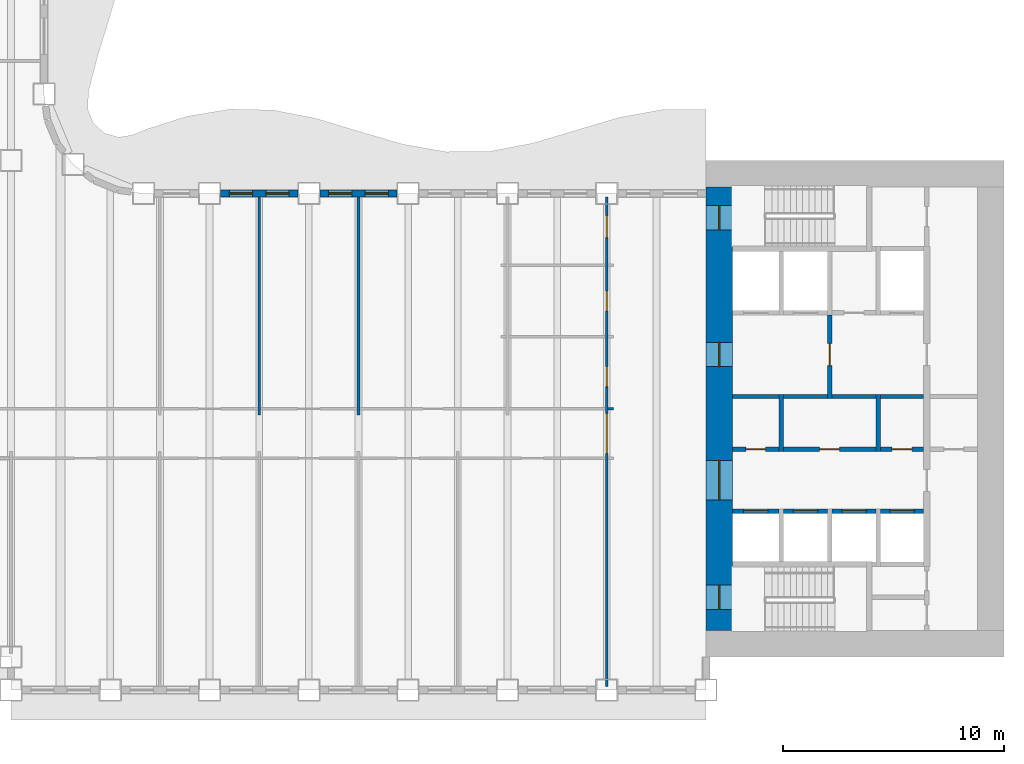
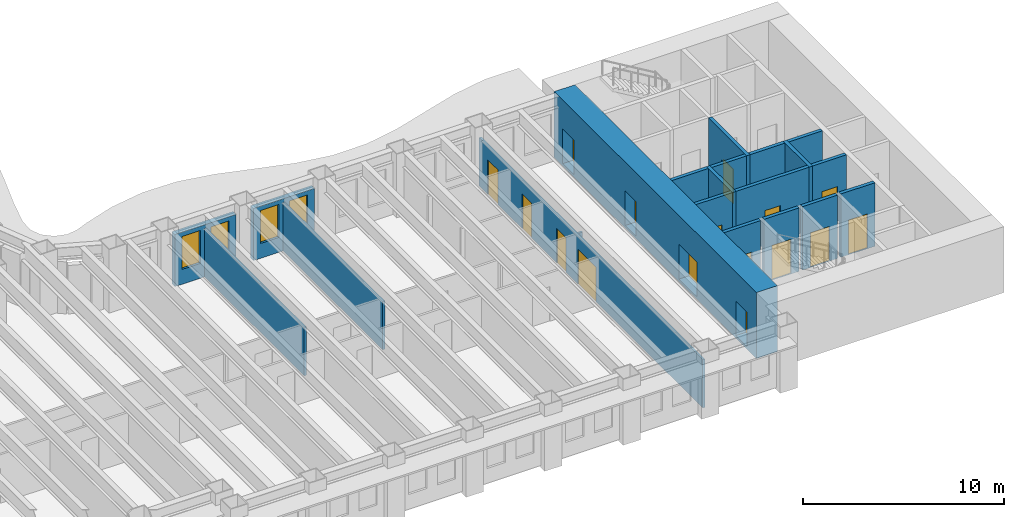
# One storey, part 6 of 16: 21 walls, 16 doors, 4 windows, 20 openings.
"""IFC4 building model written with IfcOpenShell, lengths in metres."""

import ifcopenshell
import ifcopenshell.guid

model = None  # the IFC model being written
_history = None  # IfcOwnerHistory: only IFC2X3 demands one
_inside = {}  # id of a spatial element -> (the spatial element, [elements in it])
_under = {}  # id of a project, library or spatial element -> (it, [spatial elements below it])
_declared = {}  # id of a project -> (the project, [libraries it declares])
_typed = {}  # id of a type object -> (the type object, [elements of that type])
_made_of = {}  # id of a material, layer set ... -> (it, [elements and type objects made of it])


def new_model(schema):
    """Start an empty IFC model of exactly this schema.

    Asked for "IFC4X3", IfcOpenShell would pick the latest addendum, in which some entities
    have other attributes; the version numbers below select the first issue.
    IFC2X3 requires an IfcOwnerHistory on every rooted entity: one is made here for all.
    """
    global model, _history
    if schema == "IFC4X3":
        model = ifcopenshell.file(schema_version=(4, 3, 0, 0))
    else:
        model = ifcopenshell.file(schema=schema)
    _inside.clear()
    _under.clear()
    _declared.clear()
    _typed.clear()
    _made_of.clear()
    _history = None
    if model.schema == "IFC2X3":
        org = make("IfcOrganization", Name="unknown")
        user = make(
            "IfcPersonAndOrganization",
            ThePerson=make("IfcPerson", FamilyName="unknown"),
            TheOrganization=org,
        )
        app = make(
            "IfcApplication",
            ApplicationDeveloper=org,
            Version="unknown",
            ApplicationFullName="unknown",
            ApplicationIdentifier="unknown",
        )
        _history = make(
            "IfcOwnerHistory",
            OwningUser=user,
            OwningApplication=app,
            ChangeAction="ADDED",
            CreationDate=0,
        )
    return model


def make(cls, **values):
    """One entity of the class cls with the attributes given. An attribute that is None is left unset."""
    return model.create_entity(
        cls, **{name: value for name, value in values.items() if value is not None}
    )


def rooted(cls, **values):
    """An entity with a GlobalId (a new one), such as an element, a storey or a relation."""
    return make(cls, GlobalId=ifcopenshell.guid.new(), OwnerHistory=_history, **values)


def si_unit(unit_type, name, prefix=None):
    """IfcSIUnit, for example si_unit("LENGTHUNIT", "METRE", prefix="MILLI")."""
    return make("IfcSIUnit", UnitType=unit_type, Prefix=prefix, Name=name)


def assignment(units):
    """IfcUnitAssignment: the units of a project."""
    return None if units is None else make("IfcUnitAssignment", Units=units)


def point(xyz):
    """IfcCartesianPoint."""
    return None if xyz is None else make("IfcCartesianPoint", Coordinates=xyz)


def direction(xyz):
    """IfcDirection."""
    return None if xyz is None else make("IfcDirection", DirectionRatios=xyz)


def frame(location, z_axis=None, x_axis=None):
    """IfcAxis2Placement3D, a coordinate frame: its origin and axes. An axis left out is left unset."""
    return make(
        "IfcAxis2Placement3D",
        Location=point(location),
        Axis=direction(z_axis),
        RefDirection=direction(x_axis),
    )


def frame_2d(location, x_axis=None):
    """IfcAxis2Placement2D, a coordinate frame in the plane: its origin and x axis."""
    return make(
        "IfcAxis2Placement2D", Location=point(location), RefDirection=direction(x_axis)
    )


def origin():
    """The frame at (0, 0, 0) with its axes left unset."""
    return frame((0.0, 0.0, 0.0))


def place(relative_to, where):
    """IfcLocalPlacement: puts the frame where relative to a parent placement (None: the world)."""
    return make(
        "IfcLocalPlacement", PlacementRelTo=relative_to, RelativePlacement=where
    )


def context(
    kind, dimensions, precision=None, world=None, true_north=None, identifier=None
):
    """IfcGeometricRepresentationContext, for example the 3D "Model" context."""
    return make(
        "IfcGeometricRepresentationContext",
        ContextIdentifier=identifier,
        ContextType=kind,
        CoordinateSpaceDimension=dimensions,
        Precision=precision,
        WorldCoordinateSystem=world,
        TrueNorth=true_north,
    )


def subcontext(parent, identifier, kind, view, scale=None):
    """IfcGeometricRepresentationSubContext, for example "Body" below "Model"."""
    return make(
        "IfcGeometricRepresentationSubContext",
        ContextIdentifier=identifier,
        ContextType=kind,
        ParentContext=parent,
        TargetScale=scale,
        TargetView=view,
    )


def project(units=None, contexts=None):
    """IfcProject with its units and contexts."""
    return rooted(
        "IfcProject",
        Name="project",
        RepresentationContexts=contexts,
        UnitsInContext=assignment(units),
    )


def spatial(cls, under=None, at=None, **own):
    """A site, building, storey or space (cls), placed at a placement, below another one or the project."""
    s = rooted(cls, ObjectPlacement=at, **own)
    if under is not None:
        _under.setdefault(under.id(), (under, []))[1].append(s)
    return s


def profile(cls, at=None, kind="AREA", **sizes):
    """A parametric profile (cls). Its sizes go by their IFC names, for example OverallWidth=200.0."""
    return make(cls, ProfileType=kind, Position=at, **sizes)


def rectangle(**sizes):
    """IfcRectangleProfileDef."""
    return profile("IfcRectangleProfileDef", **sizes)


def extrude(swept, where, along, depth):
    """IfcExtrudedAreaSolid: the profile swept, set in the frame where, extruded along a direction by depth."""
    return make(
        "IfcExtrudedAreaSolid",
        SweptArea=swept,
        Position=where,
        ExtrudedDirection=direction(along),
        Depth=depth,
    )


def shape(context_of_items, identifier, shape_type, items):
    """IfcShapeRepresentation: the items that make up one representation, for example the "Body"."""
    return make(
        "IfcShapeRepresentation",
        ContextOfItems=context_of_items,
        RepresentationIdentifier=identifier,
        RepresentationType=shape_type,
        Items=items,
    )


def material(Name=None, Category=None):
    """IfcMaterial."""
    return make("IfcMaterial", Name=Name, Category=Category)


def layer(
    of_material, thickness, ventilated=None, Name=None, Category=None, Priority=None
):
    """IfcMaterialLayer: one layer of a wall or slab, of a material (None: an air gap)."""
    return make(
        "IfcMaterialLayer",
        Material=of_material,
        LayerThickness=thickness,
        IsVentilated=ventilated,
        Name=Name,
        Category=Category,
        Priority=Priority,
    )


def layer_set(layers, Name=None):
    """IfcMaterialLayerSet."""
    return make("IfcMaterialLayerSet", MaterialLayers=layers, LayerSetName=Name)


def made_of(thing, what):
    """Note that an element or type object is made of a material, layer set ...; save() writes the relation."""
    if what is not None:
        _made_of.setdefault(what.id(), (what, []))[1].append(thing)
    return thing


def type_object(cls, material=None, **own):
    """A type object (cls), such as IfcWallType, which elements share."""
    return made_of(rooted(cls, **own), material)


def element(
    cls,
    number,
    at=None,
    inside=None,
    cuts=None,
    type_object=None,
    material=None,
    context=None,
    identifier="Body",
    shape_type=None,
    held_by="IfcProductDefinitionShape",
    body=None,
    shapes=None,
    **own,
):
    """One element of the class cls, such as IfcWall. Its Tag is "e" and its number.

    at: its placement. inside: the storey or other place that contains it. cuts: it is an
    opening in that element (IfcRelVoidsElement). A single representation is given by context,
    identifier, shape_type and body (its items); several are given by shapes. held_by: the class
    of the entity that holds the representations. save() writes the other relations.
    """
    e = rooted(cls, Tag="e%d" % number, ObjectPlacement=at, **own)
    if body is not None:
        shapes = [shape(context, identifier, shape_type, body)]
    if shapes is not None:
        e.Representation = make(held_by, Representations=shapes)
    if inside is not None:
        _inside.setdefault(inside.id(), (inside, []))[1].append(e)
    if cuts is not None:
        rooted(
            "IfcRelVoidsElement", RelatingBuildingElement=cuts, RelatedOpeningElement=e
        )
    if type_object is not None:
        _typed.setdefault(type_object.id(), (type_object, []))[1].append(e)
    return made_of(e, material)


def fill(opening, filler):
    """IfcRelFillsElement: the door or window that sits in an opening."""
    return rooted(
        "IfcRelFillsElement",
        RelatingOpeningElement=opening,
        RelatedBuildingElement=filler,
    )


def aggregate(whole, parts):
    """IfcRelAggregates: a whole, such as a stair, and the parts it consists of."""
    return rooted("IfcRelAggregates", RelatingObject=whole, RelatedObjects=parts)


def save(model, path):
    """Write the relations noted so far, then the file.

    IfcRelAggregates (storeys below a building ...), IfcRelContainedInSpatialStructure (elements
    in a storey), IfcRelDefinesByType, IfcRelAssociatesMaterial and IfcRelDeclares: one each for
    every whole, place, type object, material and project.
    """
    for whole, parts in _under.values():
        aggregate(whole, parts)
    for where, things in _inside.values():
        rooted(
            "IfcRelContainedInSpatialStructure",
            RelatedElements=things,
            RelatingStructure=where,
        )
    for kind, things in _typed.values():
        rooted("IfcRelDefinesByType", RelatedObjects=things, RelatingType=kind)
    for what, things in _made_of.values():
        rooted("IfcRelAssociatesMaterial", RelatedObjects=things, RelatingMaterial=what)
    for by, libraries in _declared.values():
        rooted("IfcRelDeclares", RelatingContext=by, RelatedDefinitions=libraries)
    model.write(path)


model = new_model("IFC4")

# Units and contexts
model_context = context("Model", 3, precision=1e-05, world=origin(), true_north=direction((0.0, 1.0)))
body_context = subcontext(model_context, "Body", "Model", "MODEL_VIEW")
ifc_project = project(units=[si_unit("LENGTHUNIT", "METRE"), si_unit("AREAUNIT", "SQUARE_METRE"), si_unit("VOLUMEUNIT", "CUBIC_METRE"), si_unit("PLANEANGLEUNIT", "RADIAN"), si_unit("MASSUNIT", "GRAM", prefix="KILO")], contexts=[model_context])

# Site, building, storey
site_placement = place(None, origin())
site = spatial("IfcSite", under=ifc_project, at=site_placement, CompositionType="ELEMENT")
building_placement = place(site_placement, origin())
building = spatial("IfcBuilding", under=site, at=building_placement, Name="Sennacour Bend Tower", CompositionType="ELEMENT")
storey_placement = place(building_placement, frame((0.0, 0.0, 95.0)))
storey = spatial("IfcBuildingStorey", under=building, at=storey_placement, Name="L21", CompositionType="ELEMENT", Elevation=95.0)

# Wall, openings, doors
ifc_material_1 = material(Name="Concrete C80/95", Category="concrete")
ifc_layer_1 = layer(ifc_material_1, 1.199951171875, Name="Concrete C80/95", Category="concrete")
ifc_layer_set_1 = layer_set([ifc_layer_1], Name="Concrete C80/95")
wall_type_1 = type_object("IfcWallType", Name="Core wall 1200 C80/95", PredefinedType="SHEAR", material=ifc_layer_set_1)
wall_1_placement = place(storey_placement, frame((54.60009765625, 1.199951171875, -0.14990234375), z_axis=(0.0, 0.0, 1.0), x_axis=(0.0, 1.0, 0.0)))
wall_1 = element("IfcWall", 1, at=wall_1_placement, inside=storey, type_object=wall_type_1, Name="Core A wall L21 W", PredefinedType="SHEAR", context=body_context, shape_type="SweptSolid", body=[
    extrude(rectangle(XDim=20.10009765625, YDim=1.199951171875, at=frame_2d((10.050048828125, 0.0))), origin(), (0.0, 0.0, 1.0), 4.0),
])
opening_1_placement = place(wall_1_placement, frame((5.89990234375, 0.0, 0.14990234375)))
opening_1 = element("IfcOpeningElement", 2, at=opening_1_placement, cuts=wall_1, Name="Opening CD", PredefinedType="OPENING", context=body_context, shape_type="SweptSolid", body=[
    extrude(rectangle(XDim=1.800048828125, YDim=2.10009765625, at=frame_2d((0.89990234375, 1.050048828125))), frame((0.0, 0.60986328125, 0.0), z_axis=(0.0, -1.0, 0.0), x_axis=(1.0, 0.0, 0.0)), (0.0, 0.0, 1.0), 1.219970703125),
])
opening_2_placement = place(wall_1_placement, frame((11.949951171875, 0.0, 0.14990234375)))
opening_2 = element("IfcOpeningElement", 3, at=opening_2_placement, cuts=wall_1, Name="Opening FD", PredefinedType="OPENING", context=body_context, shape_type="SweptSolid", body=[
    extrude(rectangle(XDim=1.10009765625, YDim=2.10009765625, at=frame_2d((0.550048828125, 1.050048828125))), frame((0.0, 0.60986328125, 0.0), z_axis=(0.0, -1.0, 0.0), x_axis=(1.0, 0.0, 0.0)), (0.0, 0.0, 1.0), 1.219970703125),
])
opening_3_placement = place(wall_1_placement, frame((0.949951171875, 0.0, 0.14990234375)))
opening_3 = element("IfcOpeningElement", 4, at=opening_3_placement, cuts=wall_1, Name="Opening SD", PredefinedType="OPENING", context=body_context, shape_type="SweptSolid", body=[
    extrude(rectangle(XDim=1.10009765625, YDim=2.10009765625, at=frame_2d((0.550048828125, 1.050048828125))), frame((0.0, 0.60986328125, 0.0), z_axis=(0.0, -1.0, 0.0), x_axis=(1.0, 0.0, 0.0)), (0.0, 0.0, 1.0), 1.219970703125),
])
opening_4_placement = place(wall_1_placement, frame((18.14990234375, 0.0, 0.14990234375)))
opening_4 = element("IfcOpeningElement", 5, at=opening_4_placement, cuts=wall_1, Name="Opening SD", PredefinedType="OPENING", context=body_context, shape_type="SweptSolid", body=[
    extrude(rectangle(XDim=1.10009765625, YDim=2.10009765625, at=frame_2d((0.550048828125, 1.050048828125))), frame((0.0, 0.60986328125, 0.0), z_axis=(0.0, -1.0, 0.0), x_axis=(1.0, 0.0, 0.0)), (0.0, 0.0, 1.0), 1.219970703125),
])
ifc_material_2 = material(Name="Painted steel", Category="steel")
door_type_1 = type_object("IfcDoorType", Name="DR-FFL-1100", OperationType="NOTDEFINED", PredefinedType="DOOR", material=ifc_material_2)
door_1_placement = place(opening_2_placement, origin())
door_1 = element("IfcDoor", 6, at=door_1_placement, inside=storey, type_object=door_type_1, Name="Door", OperationType="SINGLE_SWING_RIGHT", OverallHeight=2.10009765625, OverallWidth=1.10009765625, PredefinedType="DOOR", context=body_context, shape_type="SweptSolid", body=[
    extrude(rectangle(XDim=1.10009765625, YDim=2.10009765625, at=frame_2d((0.550048828125, 1.050048828125))), frame((0.0, 0.02490234375, 0.0), z_axis=(0.0, -1.0, 0.0), x_axis=(1.0, 0.0, 0.0)), (0.0, 0.0, 1.0), 0.050048828125),
])
fill(opening_2, door_1)
door_type_2 = type_object("IfcDoorType", Name="DR-LOBBY-1800", OperationType="NOTDEFINED", PredefinedType="DOOR", material=ifc_material_2)
door_2_placement = place(opening_1_placement, origin())
door_2 = element("IfcDoor", 7, at=door_2_placement, inside=storey, type_object=door_type_2, Name="Door", OperationType="DOUBLE_DOOR_SINGLE_SWING", OverallHeight=2.10009765625, OverallWidth=1.800048828125, PredefinedType="DOOR", context=body_context, shape_type="SweptSolid", body=[
    extrude(rectangle(XDim=1.800048828125, YDim=2.10009765625, at=frame_2d((0.89990234375, 1.050048828125))), frame((0.0, 0.02490234375, 0.0), z_axis=(0.0, -1.0, 0.0), x_axis=(1.0, 0.0, 0.0)), (0.0, 0.0, 1.0), 0.050048828125),
])
fill(opening_1, door_2)
door_type_3 = type_object("IfcDoorType", Name="DR-STAIR-1100", OperationType="NOTDEFINED", PredefinedType="DOOR", material=ifc_material_2)
door_3_placement = place(opening_3_placement, origin())
door_3 = element("IfcDoor", 8, at=door_3_placement, inside=storey, type_object=door_type_3, Name="Door", OperationType="SINGLE_SWING_LEFT", OverallHeight=2.10009765625, OverallWidth=1.10009765625, PredefinedType="DOOR", context=body_context, shape_type="SweptSolid", body=[
    extrude(rectangle(XDim=1.10009765625, YDim=2.10009765625, at=frame_2d((0.550048828125, 1.050048828125))), frame((0.0, 0.02490234375, 0.0), z_axis=(0.0, -1.0, 0.0), x_axis=(1.0, 0.0, 0.0)), (0.0, 0.0, 1.0), 0.050048828125),
])
fill(opening_3, door_3)
door_4_placement = place(opening_4_placement, origin())
door_4 = element("IfcDoor", 9, at=door_4_placement, inside=storey, type_object=door_type_3, Name="Door", OperationType="SINGLE_SWING_RIGHT", OverallHeight=2.10009765625, OverallWidth=1.10009765625, PredefinedType="DOOR", context=body_context, shape_type="SweptSolid", body=[
    extrude(rectangle(XDim=1.10009765625, YDim=2.10009765625, at=frame_2d((0.550048828125, 1.050048828125))), frame((0.0, 0.02490234375, 0.0), z_axis=(0.0, -1.0, 0.0), x_axis=(1.0, 0.0, 0.0)), (0.0, 0.0, 1.0), 0.050048828125),
])
fill(opening_4, door_4)

# Walls
ifc_material_3 = material(Name="Plasterboard partition on steel studs", Category="steel")
ifc_layer_2 = layer(ifc_material_3, 0.1201171875, Name="Plasterboard partition on steel studs", Category="steel")
ifc_layer_set_2 = layer_set([ifc_layer_2], Name="Plasterboard partition on steel studs")
wall_type_2 = type_object("IfcWallType", Name="Partition 120", PredefinedType="PARTITIONING", material=ifc_layer_set_2)
for number, where, z_axis, x_axis, name in (
    (10, (33.75, 10.949951171875, 0.0), (0.0, 0.0, 1.0), (0.0, 1.0, 0.0), "P-L21-W028a"),
    (11, (38.25, 10.949951171875, 0.0), (0.0, 0.0, 1.0), (0.0, 1.0, 0.0), "P-L21-W030a"),
):
    element("IfcWall", number, at=place(storey_placement, frame(where, z_axis=z_axis, x_axis=x_axis)), inside=storey, type_object=wall_type_2, Name=name, PredefinedType="PARTITIONING", context=body_context, shape_type="SweptSolid", body=[
        extrude(rectangle(XDim=9.900146484375, YDim=0.1201171875, at=frame_2d((4.9501953125, 0.0))), origin(), (0.0, 0.0, 1.0), 2.93798828125),
    ])
wall_2_placement = place(storey_placement, frame((49.56005859375, 11.25, 0.0), z_axis=(0.0, 0.0, 1.0), x_axis=(1.0, 0.0, 0.0)))
element("IfcWall", 12, at=wall_2_placement, inside=storey, type_object=wall_type_2, Name="P-L21-W060ah", PredefinedType="PARTITIONING", context=body_context, shape_type="SweptSolid", body=[
    extrude(rectangle(XDim=0.239990234375, YDim=0.1201171875, at=frame_2d((0.1201171875, 0.0))), origin(), (0.0, 0.0, 1.0), 2.93798828125),
])

# Wall, openings, doors
ifc_layer_3 = layer(ifc_material_3, 0.1201171875, Name="Plasterboard partition on steel studs", Category="steel")
ifc_layer_set_3 = layer_set([ifc_layer_3], Name="Plasterboard partition on steel studs")
wall_type_3 = type_object("IfcWallType", Name="Partition 120 EI 30", PredefinedType="PARTITIONING", material=ifc_layer_set_3)
wall_3_placement = place(storey_placement, frame((49.5, -1.35009765625, 0.0), z_axis=(0.0, 0.0, 1.0), x_axis=(0.0, 1.0, 0.0)))
wall_3 = element("IfcWall", 13, at=wall_3_placement, inside=storey, type_object=wall_type_3, Name="P-L21-W033a", PredefinedType="PARTITIONING", context=body_context, shape_type="SweptSolid", body=[
    extrude(rectangle(XDim=22.2001953125, YDim=0.1201171875, at=frame_2d((11.10009765625, 0.0))), origin(), (0.0, 0.0, 1.0), 2.93798828125),
])
opening_5_placement = place(wall_3_placement, frame((10.5751953125, 0.0, 0.0)))
opening_5 = element("IfcOpeningElement", 14, at=opening_5_placement, cuts=wall_3, Name="Opening KD3", PredefinedType="OPENING", context=body_context, shape_type="SweptSolid", body=[
    extrude(rectangle(XDim=1.800048828125, YDim=2.10009765625, at=frame_2d((0.89990234375, 1.050048828125))), frame((0.0, 0.070068359375, 0.0), z_axis=(0.0, -1.0, 0.0), x_axis=(1.0, 0.0, 0.0)), (0.0, 0.0, 1.0), 0.14013671875),
])
opening_6_placement = place(wall_3_placement, frame((13.60009765625, 0.0, 0.0)))
opening_6 = element("IfcOpeningElement", 15, at=opening_6_placement, cuts=wall_3, Name="Opening WD", PredefinedType="OPENING", context=body_context, shape_type="SweptSolid", body=[
    extrude(rectangle(XDim=0.89990234375, YDim=2.10009765625, at=frame_2d((0.449951171875, 1.050048828125))), frame((0.0, 0.070068359375, 0.0), z_axis=(0.0, -1.0, 0.0), x_axis=(1.0, 0.0, 0.0)), (0.0, 0.0, 1.0), 0.14013671875),
])
opening_7_placement = place(wall_3_placement, frame((17.025146484375, 0.0, 0.0)))
opening_7 = element("IfcOpeningElement", 16, at=opening_7_placement, cuts=wall_3, Name="Opening WD", PredefinedType="OPENING", context=body_context, shape_type="SweptSolid", body=[
    extrude(rectangle(XDim=0.89990234375, YDim=2.10009765625, at=frame_2d((0.449951171875, 1.050048828125))), frame((0.0, 0.070068359375, 0.0), z_axis=(0.0, -1.0, 0.0), x_axis=(1.0, 0.0, 0.0)), (0.0, 0.0, 1.0), 0.14013671875),
])
opening_8_placement = place(wall_3_placement, frame((20.35009765625, 0.0, 0.0)))
opening_8 = element("IfcOpeningElement", 17, at=opening_8_placement, cuts=wall_3, Name="Opening AD", PredefinedType="OPENING", context=body_context, shape_type="SweptSolid", body=[
    extrude(rectangle(XDim=1.0, YDim=2.10009765625, at=frame_2d((0.5, 1.050048828125))), frame((0.0, 0.070068359375, 0.0), z_axis=(0.0, -1.0, 0.0), x_axis=(1.0, 0.0, 0.0)), (0.0, 0.0, 1.0), 0.14013671875),
])
ifc_material_4 = material(Name="Timber", Category="wood")
door_type_4 = type_object("IfcDoorType", Name="DR-ACC-WC-1000", OperationType="NOTDEFINED", PredefinedType="DOOR", material=ifc_material_4)
door_5_placement = place(opening_8_placement, origin())
door_5 = element("IfcDoor", 18, at=door_5_placement, inside=storey, type_object=door_type_4, Name="Door", OperationType="SINGLE_SWING_RIGHT", OverallHeight=2.10009765625, OverallWidth=1.0, PredefinedType="DOOR", context=body_context, shape_type="SweptSolid", body=[
    extrude(rectangle(XDim=1.0, YDim=2.10009765625, at=frame_2d((0.5, 1.050048828125))), frame((0.0, 0.02490234375, 0.0), z_axis=(0.0, -1.0, 0.0), x_axis=(1.0, 0.0, 0.0)), (0.0, 0.0, 1.0), 0.050048828125),
])
fill(opening_8, door_5)
door_type_5 = type_object("IfcDoorType", Name="DR-CORRIDOR-1800", OperationType="NOTDEFINED", PredefinedType="DOOR", material=ifc_material_2)
door_6_placement = place(opening_5_placement, origin())
door_6 = element("IfcDoor", 19, at=door_6_placement, inside=storey, type_object=door_type_5, Name="Door", OperationType="DOUBLE_DOOR_SINGLE_SWING", OverallHeight=2.10009765625, OverallWidth=1.800048828125, PredefinedType="DOOR", context=body_context, shape_type="SweptSolid", body=[
    extrude(rectangle(XDim=1.800048828125, YDim=2.10009765625, at=frame_2d((0.89990234375, 1.050048828125))), frame((0.0, 0.02490234375, 0.0), z_axis=(0.0, -1.0, 0.0), x_axis=(1.0, 0.0, 0.0)), (0.0, 0.0, 1.0), 0.050048828125),
])
fill(opening_5, door_6)
door_type_6 = type_object("IfcDoorType", Name="DR-WC-900", OperationType="NOTDEFINED", PredefinedType="DOOR", material=ifc_material_4)
door_7_placement = place(opening_6_placement, origin())
door_7 = element("IfcDoor", 20, at=door_7_placement, inside=storey, type_object=door_type_6, Name="Door", OperationType="SINGLE_SWING_RIGHT", OverallHeight=2.10009765625, OverallWidth=0.89990234375, PredefinedType="DOOR", context=body_context, shape_type="SweptSolid", body=[
    extrude(rectangle(XDim=0.89990234375, YDim=2.10009765625, at=frame_2d((0.449951171875, 1.050048828125))), frame((0.0, 0.02490234375, 0.0), z_axis=(0.0, -1.0, 0.0), x_axis=(1.0, 0.0, 0.0)), (0.0, 0.0, 1.0), 0.050048828125),
])
fill(opening_6, door_7)
door_8_placement = place(opening_7_placement, origin())
door_8 = element("IfcDoor", 21, at=door_8_placement, inside=storey, type_object=door_type_6, Name="Door", OperationType="SINGLE_SWING_RIGHT", OverallHeight=2.10009765625, OverallWidth=0.89990234375, PredefinedType="DOOR", context=body_context, shape_type="SweptSolid", body=[
    extrude(rectangle(XDim=0.89990234375, YDim=2.10009765625, at=frame_2d((0.449951171875, 1.050048828125))), frame((0.0, 0.02490234375, 0.0), z_axis=(0.0, -1.0, 0.0), x_axis=(1.0, 0.0, 0.0)), (0.0, 0.0, 1.0), 0.050048828125),
])
fill(opening_7, door_8)

# Walls
ifc_material_5 = material(Name="Fire-rated plasterboard partition on steel studs", Category="steel")
ifc_layer_4 = layer(ifc_material_5, 0.199951171875, Name="Fire-rated plasterboard partition on steel studs", Category="steel")
ifc_layer_set_4 = layer_set([ifc_layer_4], Name="Fire-rated plasterboard partition on steel studs")
wall_type_4 = type_object("IfcWallType", Name="Rated partition 200", PredefinedType="PARTITIONING", material=ifc_layer_set_4)
for number, where, z_axis, x_axis, name in (
    (22, (57.39990234375, 9.300048828125, 0.0), (0.0, 0.0, 1.0), (0.0, 1.0, 0.0), "P-L21-W036"),
    (23, (61.800048828125, 9.300048828125, 0.0), (0.0, 0.0, 1.0), (0.0, 1.0, 0.0), "P-L21-W044"),
):
    element("IfcWall", number, at=place(storey_placement, frame(where, z_axis=z_axis, x_axis=x_axis)), inside=storey, type_object=wall_type_4, Name=name, PredefinedType="PARTITIONING", context=body_context, shape_type="SweptSolid", body=[
        extrude(rectangle(XDim=2.599853515625, YDim=0.199951171875, at=frame_2d((1.2998046875, 0.0))), origin(), (0.0, 0.0, 1.0), 3.85009765625),
    ])

# Wall, opening, door
wall_4_placement = place(storey_placement, frame((55.199951171875, 9.39990234375, 0.0), z_axis=(0.0, 0.0, 1.0), x_axis=(1.0, 0.0, 0.0)))
wall_4 = element("IfcWall", 24, at=wall_4_placement, inside=storey, type_object=wall_type_4, Name="P-L21-W059a", PredefinedType="PARTITIONING", context=body_context, shape_type="SweptSolid", body=[
    extrude(rectangle(XDim=2.10009765625, YDim=0.199951171875, at=frame_2d((1.050048828125, 0.0))), origin(), (0.0, 0.0, 1.0), 3.85009765625),
])
opening_9_placement = place(wall_4_placement, frame((0.60009765625, 0.0, 0.0)))
opening_9 = element("IfcOpeningElement", 25, at=opening_9_placement, cuts=wall_4, Name="Opening SV", PredefinedType="OPENING", context=body_context, shape_type="SweptSolid", body=[
    extrude(rectangle(XDim=0.89990234375, YDim=2.10009765625, at=frame_2d((0.449951171875, 1.050048828125))), frame((0.0, 0.10986328125, 0.0), z_axis=(0.0, -1.0, 0.0), x_axis=(1.0, 0.0, 0.0)), (0.0, 0.0, 1.0), 0.219970703125),
])
door_type_7 = type_object("IfcDoorType", Name="DR-SERVICE-900", OperationType="NOTDEFINED", PredefinedType="DOOR", material=ifc_material_2)
door_9_placement = place(opening_9_placement, origin())
door_9 = element("IfcDoor", 26, at=door_9_placement, inside=storey, type_object=door_type_7, Name="Door", OperationType="SINGLE_SWING_LEFT", OverallHeight=2.10009765625, OverallWidth=0.89990234375, PredefinedType="DOOR", context=body_context, shape_type="SweptSolid", body=[
    extrude(rectangle(XDim=0.89990234375, YDim=2.10009765625, at=frame_2d((0.449951171875, 1.050048828125))), frame((0.0, 0.02490234375, 0.0), z_axis=(0.0, -1.0, 0.0), x_axis=(1.0, 0.0, 0.0)), (0.0, 0.0, 1.0), 0.050048828125),
])
fill(opening_9, door_9)

wall_5_placement = place(storey_placement, frame((57.5, 9.39990234375, 0.0), z_axis=(0.0, 0.0, 1.0), x_axis=(1.0, 0.0, 0.0)))
wall_5 = element("IfcWall", 27, at=wall_5_placement, inside=storey, type_object=wall_type_4, Name="P-L21-W059b", PredefinedType="PARTITIONING", context=body_context, shape_type="SweptSolid", body=[
    extrude(rectangle(XDim=4.199951171875, YDim=0.199951171875, at=frame_2d((2.10009765625, 0.0))), origin(), (0.0, 0.0, 1.0), 3.85009765625),
])
opening_10_placement = place(wall_5_placement, frame((1.64990234375, 0.0, 0.0)))
opening_10 = element("IfcOpeningElement", 28, at=opening_10_placement, cuts=wall_5, Name="Opening WD", PredefinedType="OPENING", context=body_context, shape_type="SweptSolid", body=[
    extrude(rectangle(XDim=0.89990234375, YDim=2.10009765625, at=frame_2d((0.449951171875, 1.050048828125))), frame((0.0, 0.10986328125, 0.0), z_axis=(0.0, -1.0, 0.0), x_axis=(1.0, 0.0, 0.0)), (0.0, 0.0, 1.0), 0.219970703125),
])
door_10_placement = place(opening_10_placement, origin())
door_10 = element("IfcDoor", 29, at=door_10_placement, inside=storey, type_object=door_type_6, Name="Door", OperationType="SINGLE_SWING_RIGHT", OverallHeight=2.10009765625, OverallWidth=0.89990234375, PredefinedType="DOOR", context=body_context, shape_type="SweptSolid", body=[
    extrude(rectangle(XDim=0.89990234375, YDim=2.10009765625, at=frame_2d((0.449951171875, 1.050048828125))), frame((0.0, 0.02490234375, 0.0), z_axis=(0.0, -1.0, 0.0), x_axis=(1.0, 0.0, 0.0)), (0.0, 0.0, 1.0), 0.050048828125),
])
fill(opening_10, door_10)

wall_6_placement = place(storey_placement, frame((61.89990234375, 9.39990234375, 0.0), z_axis=(0.0, 0.0, 1.0), x_axis=(1.0, 0.0, 0.0)))
wall_6 = element("IfcWall", 30, at=wall_6_placement, inside=storey, type_object=wall_type_4, Name="P-L21-W059c", PredefinedType="PARTITIONING", context=body_context, shape_type="SweptSolid", body=[
    extrude(rectangle(XDim=1.9501953125, YDim=0.199951171875, at=frame_2d((0.97509765625, 0.0))), origin(), (0.0, 0.0, 1.0), 3.85009765625),
])
opening_11_placement = place(wall_6_placement, frame((0.525146484375, 0.0, 0.0)))
opening_11 = element("IfcOpeningElement", 31, at=opening_11_placement, cuts=wall_6, Name="Opening SV", PredefinedType="OPENING", context=body_context, shape_type="SweptSolid", body=[
    extrude(rectangle(XDim=0.89990234375, YDim=2.10009765625, at=frame_2d((0.449951171875, 1.050048828125))), frame((0.0, 0.10986328125, 0.0), z_axis=(0.0, -1.0, 0.0), x_axis=(1.0, 0.0, 0.0)), (0.0, 0.0, 1.0), 0.219970703125),
])
door_11_placement = place(opening_11_placement, origin())
door_11 = element("IfcDoor", 32, at=door_11_placement, inside=storey, type_object=door_type_7, Name="Door", OperationType="SINGLE_SWING_LEFT", OverallHeight=2.10009765625, OverallWidth=0.89990234375, PredefinedType="DOOR", context=body_context, shape_type="SweptSolid", body=[
    extrude(rectangle(XDim=0.89990234375, YDim=2.10009765625, at=frame_2d((0.449951171875, 1.050048828125))), frame((0.0, 0.02490234375, 0.0), z_axis=(0.0, -1.0, 0.0), x_axis=(1.0, 0.0, 0.0)), (0.0, 0.0, 1.0), 0.050048828125),
])
fill(opening_11, door_11)

# Walls
wall_7_placement = place(storey_placement, frame((55.199951171875, 11.800048828125, 0.0), z_axis=(0.0, 0.0, 1.0), x_axis=(1.0, 0.0, 0.0)))
element("IfcWall", 33, at=wall_7_placement, inside=storey, type_object=wall_type_4, Name="P-L21-W061a", PredefinedType="PARTITIONING", context=body_context, shape_type="SweptSolid", body=[
    extrude(rectangle(XDim=2.10009765625, YDim=0.199951171875, at=frame_2d((1.050048828125, 0.0))), origin(), (0.0, 0.0, 1.0), 3.85009765625),
])
for number, where, z_axis, x_axis, name in (
    (34, (57.5, 11.800048828125, 0.0), (0.0, 0.0, 1.0), (1.0, 0.0, 0.0), "P-L21-W061b"),
    (35, (59.699951171875, 11.800048828125, 0.0), (0.0, 0.0, 1.0), (1.0, 0.0, 0.0), "P-L21-W061c"),
):
    element("IfcWall", number, at=place(storey_placement, frame(where, z_axis=z_axis, x_axis=x_axis)), inside=storey, type_object=wall_type_4, Name=name, PredefinedType="PARTITIONING", context=body_context, shape_type="SweptSolid", body=[
        extrude(rectangle(XDim=2.0, YDim=0.199951171875, at=frame_2d((1.0, 0.0))), origin(), (0.0, 0.0, 1.0), 3.85009765625),
    ])
wall_8_placement = place(storey_placement, frame((61.89990234375, 11.800048828125, 0.0), z_axis=(0.0, 0.0, 1.0), x_axis=(1.0, 0.0, 0.0)))
element("IfcWall", 36, at=wall_8_placement, inside=storey, type_object=wall_type_4, Name="P-L21-W061d", PredefinedType="PARTITIONING", context=body_context, shape_type="SweptSolid", body=[
    extrude(rectangle(XDim=1.9501953125, YDim=0.199951171875, at=frame_2d((0.97509765625, 0.0))), origin(), (0.0, 0.0, 1.0), 3.85009765625),
])

# Wall, opening, door
ifc_layer_5 = layer(ifc_material_5, 0.199951171875, Name="Fire-rated plasterboard partition on steel studs", Category="steel")
ifc_layer_set_5 = layer_set([ifc_layer_5], Name="Fire-rated plasterboard partition on steel studs")
wall_type_5 = type_object("IfcWallType", Name="Rated partition 200 EI 90", PredefinedType="PARTITIONING", material=ifc_layer_set_5)
wall_9_placement = place(storey_placement, frame((59.60009765625, 11.699951171875, 0.0), z_axis=(0.0, 0.0, 1.0), x_axis=(0.0, 1.0, 0.0)))
wall_9 = element("IfcWall", 37, at=wall_9_placement, inside=storey, type_object=wall_type_5, Name="P-L21-W039", PredefinedType="PARTITIONING", context=body_context, shape_type="SweptSolid", body=[
    extrude(rectangle(XDim=3.800048828125, YDim=0.199951171875, at=frame_2d((1.89990234375, 0.0))), origin(), (0.0, 0.0, 1.0), 3.85009765625),
])
opening_12_placement = place(wall_9_placement, frame((1.5, 0.0, 0.0)))
opening_12 = element("IfcOpeningElement", 38, at=opening_12_placement, cuts=wall_9, Name="Opening FD2", PredefinedType="OPENING", context=body_context, shape_type="SweptSolid", body=[
    extrude(rectangle(XDim=1.0, YDim=2.10009765625, at=frame_2d((0.5, 1.050048828125))), frame((0.0, 0.10986328125, 0.0), z_axis=(0.0, -1.0, 0.0), x_axis=(1.0, 0.0, 0.0)), (0.0, 0.0, 1.0), 0.219970703125),
])
door_type_8 = type_object("IfcDoorType", Name="DR-FFL-1000", OperationType="NOTDEFINED", PredefinedType="DOOR", material=ifc_material_2)
door_12_placement = place(opening_12_placement, origin())
door_12 = element("IfcDoor", 39, at=door_12_placement, inside=storey, type_object=door_type_8, Name="Door", OperationType="SINGLE_SWING_RIGHT", OverallHeight=2.10009765625, OverallWidth=1.0, PredefinedType="DOOR", context=body_context, shape_type="SweptSolid", body=[
    extrude(rectangle(XDim=1.0, YDim=2.10009765625, at=frame_2d((0.5, 1.050048828125))), frame((0.0, 0.02490234375, 0.0), z_axis=(0.0, -1.0, 0.0), x_axis=(1.0, 0.0, 0.0)), (0.0, 0.0, 1.0), 0.050048828125),
])
fill(opening_12, door_12)

# Wall, openings, windows
ifc_material_6 = material(Name="Warm limestone cladding", Category="masonry")
ifc_layer_6 = layer(ifc_material_6, 0.050048828125, Name="Warm limestone cladding", Category="masonry")
ifc_material_7 = material(Name="Precast concrete C40/50", Category="concrete")
ifc_layer_7 = layer(ifc_material_7, 0.25, Name="Precast concrete C40/50", Category="concrete")
ifc_layer_set_6 = layer_set([ifc_layer_6, ifc_layer_7], Name="Precast concrete C40/50 with limestone cladding")
wall_type_6 = type_object("IfcWallType", Name="STONE-CLAD PRECAST SPANDREL 300", PredefinedType="STANDARD", material=ifc_layer_set_6)
wall_10_placement = place(storey_placement, frame((40.0, 21.0, 0.0), z_axis=(0.0, 0.0, 1.0), x_axis=(-1.0, 0.0, 0.0)))
wall_10 = element("IfcWall", 40, at=wall_10_placement, inside=storey, type_object=wall_type_6, Name="Stone spandrel and pier wall L21 06.03", PredefinedType="STANDARD", context=body_context, shape_type="SweptSolid", body=[
    extrude(rectangle(XDim=3.5, YDim=0.300048828125, at=frame_2d((1.75, 0.0))), origin(), (0.0, 0.0, 1.0), 3.154052734375),
])
opening_13_placement = place(wall_10_placement, frame((0.39990234375, 0.0, 0.89990234375)))
opening_13 = element("IfcOpeningElement", 41, at=opening_13_placement, cuts=wall_10, Name="Opening W13", PredefinedType="OPENING", context=body_context, shape_type="SweptSolid", body=[
    extrude(rectangle(XDim=1.050048828125, YDim=2.0, at=frame_2d((0.52490234375, 1.0))), frame((0.0, 0.16015625, 0.0), z_axis=(0.0, -1.0, 0.0), x_axis=(1.0, 0.0, 0.0)), (0.0, 0.0, 1.0), 0.320068359375),
])
opening_14_placement = place(wall_10_placement, frame((2.050048828125, 0.0, 0.89990234375)))
opening_14 = element("IfcOpeningElement", 42, at=opening_14_placement, cuts=wall_10, Name="Opening W13", PredefinedType="OPENING", context=body_context, shape_type="SweptSolid", body=[
    extrude(rectangle(XDim=1.050048828125, YDim=2.0, at=frame_2d((0.52490234375, 1.0))), frame((0.0, 0.16015625, 0.0), z_axis=(0.0, -1.0, 0.0), x_axis=(1.0, 0.0, 0.0)), (0.0, 0.0, 1.0), 0.320068359375),
])
ifc_material_8 = material(Name="Clear low-emissivity glass", Category="glass")
window_type = type_object("IfcWindowType", Name="WIN-RIBBON-1050x2000", PartitioningType="SINGLE_PANEL", PredefinedType="WINDOW", material=ifc_material_8)
window_1_placement = place(opening_13_placement, origin())
window_1 = element("IfcWindow", 43, at=window_1_placement, inside=storey, type_object=window_type, Name="Ribbon window L21 06.03.0", OverallHeight=2.0, OverallWidth=1.050048828125, PartitioningType="SINGLE_PANEL", PredefinedType="WINDOW", context=body_context, shape_type="SweptSolid", body=[
    extrude(rectangle(XDim=1.050048828125, YDim=2.0, at=frame_2d((0.52490234375, 1.0))), frame((0.0, 0.030029296875, 0.0), z_axis=(0.0, -1.0, 0.0), x_axis=(1.0, 0.0, 0.0)), (0.0, 0.0, 1.0), 0.06005859375),
])
fill(opening_13, window_1)
window_2_placement = place(opening_14_placement, origin())
window_2 = element("IfcWindow", 44, at=window_2_placement, inside=storey, type_object=window_type, Name="Ribbon window L21 06.03.1", OverallHeight=2.0, OverallWidth=1.050048828125, PartitioningType="SINGLE_PANEL", PredefinedType="WINDOW", context=body_context, shape_type="SweptSolid", body=[
    extrude(rectangle(XDim=1.050048828125, YDim=2.0, at=frame_2d((0.52490234375, 1.0))), frame((0.0, 0.030029296875, 0.0), z_axis=(0.0, -1.0, 0.0), x_axis=(1.0, 0.0, 0.0)), (0.0, 0.0, 1.0), 0.06005859375),
])
fill(opening_14, window_2)

wall_11_placement = place(storey_placement, frame((35.5, 21.0, 0.0), z_axis=(0.0, 0.0, 1.0), x_axis=(-1.0, 0.0, 0.0)))
wall_11 = element("IfcWall", 45, at=wall_11_placement, inside=storey, type_object=wall_type_6, Name="Stone spandrel and pier wall L21 06.04", PredefinedType="STANDARD", context=body_context, shape_type="SweptSolid", body=[
    extrude(rectangle(XDim=3.5, YDim=0.300048828125, at=frame_2d((1.75, 0.0))), origin(), (0.0, 0.0, 1.0), 3.154052734375),
])
opening_15_placement = place(wall_11_placement, frame((0.39990234375, 0.0, 0.89990234375)))
opening_15 = element("IfcOpeningElement", 46, at=opening_15_placement, cuts=wall_11, Name="Opening W13", PredefinedType="OPENING", context=body_context, shape_type="SweptSolid", body=[
    extrude(rectangle(XDim=1.050048828125, YDim=2.0, at=frame_2d((0.52490234375, 1.0))), frame((0.0, 0.16015625, 0.0), z_axis=(0.0, -1.0, 0.0), x_axis=(1.0, 0.0, 0.0)), (0.0, 0.0, 1.0), 0.320068359375),
])
opening_16_placement = place(wall_11_placement, frame((2.050048828125, 0.0, 0.89990234375)))
opening_16 = element("IfcOpeningElement", 47, at=opening_16_placement, cuts=wall_11, Name="Opening W13", PredefinedType="OPENING", context=body_context, shape_type="SweptSolid", body=[
    extrude(rectangle(XDim=1.050048828125, YDim=2.0, at=frame_2d((0.52490234375, 1.0))), frame((0.0, 0.16015625, 0.0), z_axis=(0.0, -1.0, 0.0), x_axis=(1.0, 0.0, 0.0)), (0.0, 0.0, 1.0), 0.320068359375),
])
window_3_placement = place(opening_15_placement, origin())
window_3 = element("IfcWindow", 48, at=window_3_placement, inside=storey, type_object=window_type, Name="Ribbon window L21 06.04.0", OverallHeight=2.0, OverallWidth=1.050048828125, PartitioningType="SINGLE_PANEL", PredefinedType="WINDOW", context=body_context, shape_type="SweptSolid", body=[
    extrude(rectangle(XDim=1.050048828125, YDim=2.0, at=frame_2d((0.52490234375, 1.0))), frame((0.0, 0.030029296875, 0.0), z_axis=(0.0, -1.0, 0.0), x_axis=(1.0, 0.0, 0.0)), (0.0, 0.0, 1.0), 0.06005859375),
])
fill(opening_15, window_3)
window_4_placement = place(opening_16_placement, origin())
window_4 = element("IfcWindow", 49, at=window_4_placement, inside=storey, type_object=window_type, Name="Ribbon window L21 06.04.1", OverallHeight=2.0, OverallWidth=1.050048828125, PartitioningType="SINGLE_PANEL", PredefinedType="WINDOW", context=body_context, shape_type="SweptSolid", body=[
    extrude(rectangle(XDim=1.050048828125, YDim=2.0, at=frame_2d((0.52490234375, 1.0))), frame((0.0, 0.030029296875, 0.0), z_axis=(0.0, -1.0, 0.0), x_axis=(1.0, 0.0, 0.0)), (0.0, 0.0, 1.0), 0.06005859375),
])
fill(opening_16, window_4)

# Wall, opening, door
ifc_material_9 = material(Name="Concrete C50/60", Category="concrete")
ifc_layer_8 = layer(ifc_material_9, 0.199951171875, Name="Concrete C50/60", Category="concrete")
ifc_layer_set_7 = layer_set([ifc_layer_8], Name="Concrete C50/60")
wall_type_7 = type_object("IfcWallType", Name="Shaft wall 200", PredefinedType="SOLIDWALL", material=ifc_layer_set_7)
wall_12_placement = place(storey_placement, frame((55.199951171875, 6.60009765625, 0.0), z_axis=(0.0, 0.0, 1.0), x_axis=(1.0, 0.0, 0.0)))
wall_12 = element("IfcWall", 50, at=wall_12_placement, inside=storey, type_object=wall_type_7, Name="P-L21-W057a", PredefinedType="SOLIDWALL", context=body_context, shape_type="SweptSolid", body=[
    extrude(rectangle(XDim=2.10009765625, YDim=0.199951171875, at=frame_2d((1.050048828125, 0.0))), origin(), (0.0, 0.0, 1.0), 3.85009765625),
])
opening_17_placement = place(wall_12_placement, frame((0.5, 0.0, 0.011962890625)))
opening_17 = element("IfcOpeningElement", 51, at=opening_17_placement, cuts=wall_12, Name="Opening LD", PredefinedType="OPENING", context=body_context, shape_type="SweptSolid", body=[
    extrude(rectangle(XDim=1.10009765625, YDim=2.10009765625, at=frame_2d((0.550048828125, 1.050048828125))), frame((0.0, 0.10986328125, 0.0), z_axis=(0.0, -1.0, 0.0), x_axis=(1.0, 0.0, 0.0)), (0.0, 0.0, 1.0), 0.219970703125),
])
ifc_material_10 = material(Name="Stainless steel", Category="steel")
door_type_9 = type_object("IfcDoorType", Name="DR-LANDING-1100", OperationType="NOTDEFINED", PredefinedType="DOOR", material=ifc_material_10)
door_13_placement = place(opening_17_placement, origin())
door_13 = element("IfcDoor", 52, at=door_13_placement, inside=storey, type_object=door_type_9, Name="Lift landing door LA1", OperationType="SLIDING_TO_LEFT", OverallHeight=2.10009765625, OverallWidth=1.10009765625, PredefinedType="DOOR", context=body_context, shape_type="SweptSolid", body=[
    extrude(rectangle(XDim=1.10009765625, YDim=2.10009765625, at=frame_2d((0.550048828125, 1.050048828125))), frame((0.0, 0.02490234375, 0.0), z_axis=(0.0, -1.0, 0.0), x_axis=(1.0, 0.0, 0.0)), (0.0, 0.0, 1.0), 0.050048828125),
])
fill(opening_17, door_13)

wall_13_placement = place(storey_placement, frame((57.5, 6.60009765625, 0.0), z_axis=(0.0, 0.0, 1.0), x_axis=(1.0, 0.0, 0.0)))
wall_13 = element("IfcWall", 53, at=wall_13_placement, inside=storey, type_object=wall_type_7, Name="P-L21-W057b", PredefinedType="SOLIDWALL", context=body_context, shape_type="SweptSolid", body=[
    extrude(rectangle(XDim=2.0, YDim=0.199951171875, at=frame_2d((1.0, 0.0))), origin(), (0.0, 0.0, 1.0), 3.85009765625),
])
opening_18_placement = place(wall_13_placement, frame((0.449951171875, 0.0, 0.011962890625)))
opening_18 = element("IfcOpeningElement", 54, at=opening_18_placement, cuts=wall_13, Name="Opening LD", PredefinedType="OPENING", context=body_context, shape_type="SweptSolid", body=[
    extrude(rectangle(XDim=1.10009765625, YDim=2.10009765625, at=frame_2d((0.550048828125, 1.050048828125))), frame((0.0, 0.10986328125, 0.0), z_axis=(0.0, -1.0, 0.0), x_axis=(1.0, 0.0, 0.0)), (0.0, 0.0, 1.0), 0.219970703125),
])
door_14_placement = place(opening_18_placement, origin())
door_14 = element("IfcDoor", 55, at=door_14_placement, inside=storey, type_object=door_type_9, Name="Lift landing door LA2", OperationType="SLIDING_TO_RIGHT", OverallHeight=2.10009765625, OverallWidth=1.10009765625, PredefinedType="DOOR", context=body_context, shape_type="SweptSolid", body=[
    extrude(rectangle(XDim=1.10009765625, YDim=2.10009765625, at=frame_2d((0.550048828125, 1.050048828125))), frame((0.0, 0.02490234375, 0.0), z_axis=(0.0, -1.0, 0.0), x_axis=(1.0, 0.0, 0.0)), (0.0, 0.0, 1.0), 0.050048828125),
])
fill(opening_18, door_14)

wall_14_placement = place(storey_placement, frame((59.699951171875, 6.60009765625, 0.0), z_axis=(0.0, 0.0, 1.0), x_axis=(1.0, 0.0, 0.0)))
wall_14 = element("IfcWall", 56, at=wall_14_placement, inside=storey, type_object=wall_type_7, Name="P-L21-W057c", PredefinedType="SOLIDWALL", context=body_context, shape_type="SweptSolid", body=[
    extrude(rectangle(XDim=2.0, YDim=0.199951171875, at=frame_2d((1.0, 0.0))), origin(), (0.0, 0.0, 1.0), 3.85009765625),
])
opening_19_placement = place(wall_14_placement, frame((0.449951171875, 0.0, 0.011962890625)))
opening_19 = element("IfcOpeningElement", 57, at=opening_19_placement, cuts=wall_14, Name="Opening LD", PredefinedType="OPENING", context=body_context, shape_type="SweptSolid", body=[
    extrude(rectangle(XDim=1.10009765625, YDim=2.10009765625, at=frame_2d((0.550048828125, 1.050048828125))), frame((0.0, 0.10986328125, 0.0), z_axis=(0.0, -1.0, 0.0), x_axis=(1.0, 0.0, 0.0)), (0.0, 0.0, 1.0), 0.219970703125),
])
door_15_placement = place(opening_19_placement, origin())
door_15 = element("IfcDoor", 58, at=door_15_placement, inside=storey, type_object=door_type_9, Name="Lift landing door LA3", OperationType="SLIDING_TO_LEFT", OverallHeight=2.10009765625, OverallWidth=1.10009765625, PredefinedType="DOOR", context=body_context, shape_type="SweptSolid", body=[
    extrude(rectangle(XDim=1.10009765625, YDim=2.10009765625, at=frame_2d((0.550048828125, 1.050048828125))), frame((0.0, 0.02490234375, 0.0), z_axis=(0.0, -1.0, 0.0), x_axis=(1.0, 0.0, 0.0)), (0.0, 0.0, 1.0), 0.050048828125),
])
fill(opening_19, door_15)

wall_15_placement = place(storey_placement, frame((61.89990234375, 6.60009765625, 0.0), z_axis=(0.0, 0.0, 1.0), x_axis=(1.0, 0.0, 0.0)))
wall_15 = element("IfcWall", 59, at=wall_15_placement, inside=storey, type_object=wall_type_7, Name="P-L21-W057d", PredefinedType="SOLIDWALL", context=body_context, shape_type="SweptSolid", body=[
    extrude(rectangle(XDim=1.9501953125, YDim=0.199951171875, at=frame_2d((0.97509765625, 0.0))), origin(), (0.0, 0.0, 1.0), 3.85009765625),
])
opening_20_placement = place(wall_15_placement, frame((0.425048828125, 0.0, 0.011962890625)))
opening_20 = element("IfcOpeningElement", 60, at=opening_20_placement, cuts=wall_15, Name="Opening LD", PredefinedType="OPENING", context=body_context, shape_type="SweptSolid", body=[
    extrude(rectangle(XDim=1.10009765625, YDim=2.10009765625, at=frame_2d((0.550048828125, 1.050048828125))), frame((0.0, 0.10986328125, 0.0), z_axis=(0.0, -1.0, 0.0), x_axis=(1.0, 0.0, 0.0)), (0.0, 0.0, 1.0), 0.219970703125),
])
door_16_placement = place(opening_20_placement, origin())
door_16 = element("IfcDoor", 61, at=door_16_placement, inside=storey, type_object=door_type_9, Name="Lift landing door LA4", OperationType="SLIDING_TO_RIGHT", OverallHeight=2.10009765625, OverallWidth=1.10009765625, PredefinedType="DOOR", context=body_context, shape_type="SweptSolid", body=[
    extrude(rectangle(XDim=1.10009765625, YDim=2.10009765625, at=frame_2d((0.550048828125, 1.050048828125))), frame((0.0, 0.02490234375, 0.0), z_axis=(0.0, -1.0, 0.0), x_axis=(1.0, 0.0, 0.0)), (0.0, 0.0, 1.0), 0.050048828125),
])
fill(opening_20, door_16)

save(model, "model.ifc")
